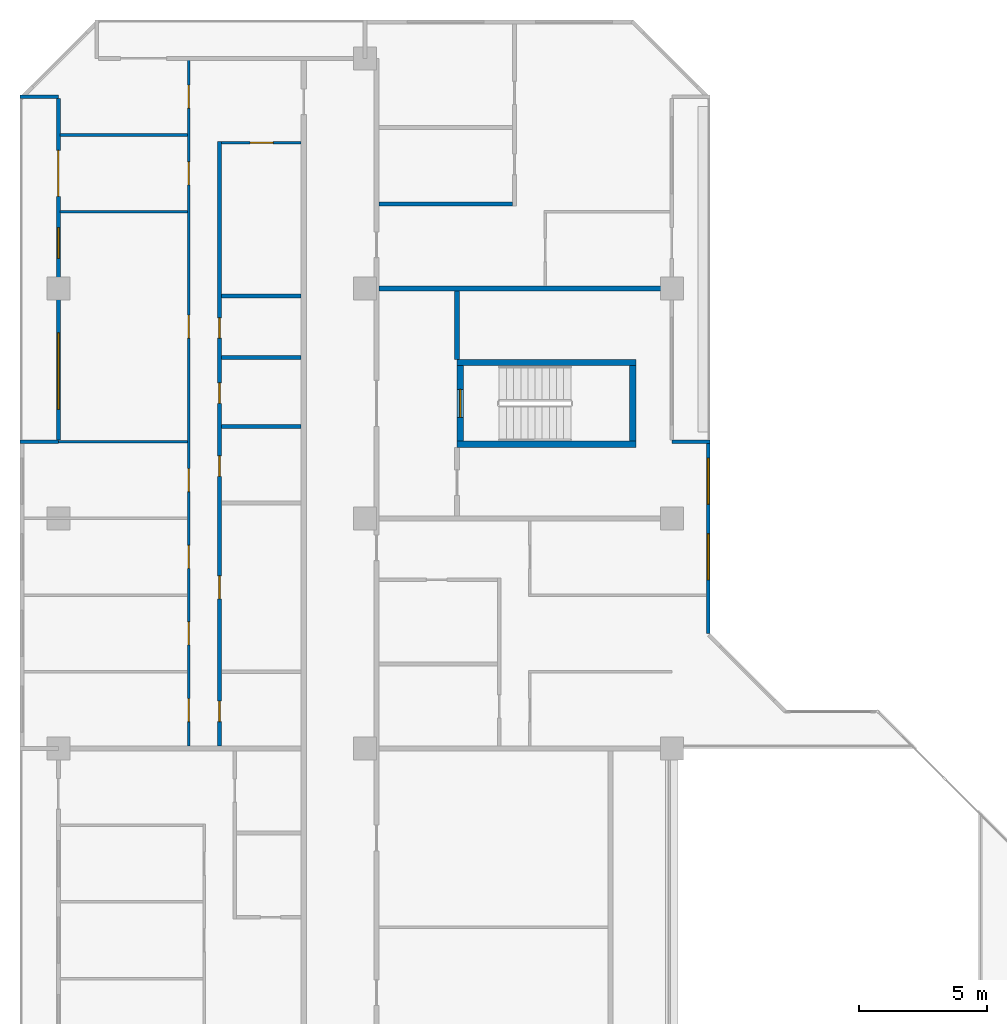
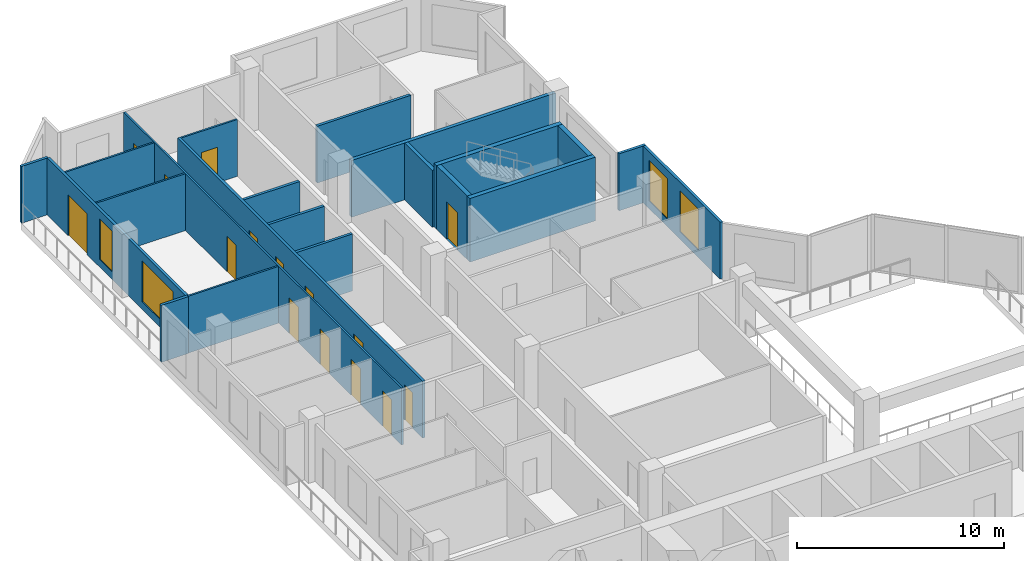
# One storey, part 10 of 14: 21 walls, 15 doors, 4 windows, 19 openings.
"""IFC4 building model written with IfcOpenShell, lengths in metres."""

from ifc_helpers import new_model, si_unit, direction, frame, frame_2d, origin, place, context, subcontext, project, spatial, rectangle, extrude, material, layer, layer_set, type_object, element, fill, save


model = new_model("IFC4")

# Units and contexts
model_context = context("Model", 3, precision=1e-05, world=origin(), true_north=direction((0.0, 1.0)))
body_context = subcontext(model_context, "Body", "Model", "MODEL_VIEW")
ifc_project = project(units=[si_unit("LENGTHUNIT", "METRE"), si_unit("AREAUNIT", "SQUARE_METRE"), si_unit("VOLUMEUNIT", "CUBIC_METRE"), si_unit("PLANEANGLEUNIT", "RADIAN"), si_unit("MASSUNIT", "GRAM", prefix="KILO")], contexts=[model_context])

# Site, building, storey
site_placement = place(None, origin())
site = spatial("IfcSite", under=ifc_project, at=site_placement, CompositionType="ELEMENT")
building_placement = place(site_placement, origin())
building = spatial("IfcBuilding", under=site, at=building_placement, Name="Chenar Terraces", CompositionType="ELEMENT")
storey_placement = place(building_placement, frame((0.0, 0.0, 161.14990234375)))
storey = spatial("IfcBuildingStorey", under=building, at=storey_placement, Name="L36", CompositionType="ELEMENT", Elevation=161.14990234375)

# Walls
ifc_material_1 = material(Name="Concrete C60/75", Category="concrete")
ifc_layer_1 = layer(ifc_material_1, 0.25)
ifc_layer_set_1 = layer_set([ifc_layer_1], Name="Concrete C60/75")
wall_type_1 = type_object("IfcWallType", Name="Core wall 250 Concrete C60/75", PredefinedType="SHEAR", material=ifc_layer_set_1)
for number, where, z_axis, x_axis, name in (
    (1, (15.60009765625, 47.89990234375, 0.0), (0.0, 0.0, 1.0), (1.0, 0.0, 0.0), "Core wall ST4_S L36"),
    (2, (15.60009765625, 51.10009765625, 0.0), (0.0, 0.0, 1.0), (1.0, 0.0, 0.0), "Core wall ST4_N L36"),
):
    element("IfcWall", number, at=place(storey_placement, frame(where, z_axis=z_axis, x_axis=x_axis)), inside=storey, type_object=wall_type_1, Name=name, PredefinedType="SHEAR", context=body_context, shape_type="SweptSolid", body=[
        extrude(rectangle(XDim=7.0, YDim=0.25, at=frame_2d((3.5, 0.0))), origin(), (0.0, 0.0, 1.0), 3.75),
    ])

# Wall, opening, door
wall_1_placement = place(storey_placement, frame((15.72509765625, 48.02490234375, 0.0), z_axis=(0.0, 0.0, 1.0), x_axis=(0.0, 1.0, 0.0)))
wall_1 = element("IfcWall", 3, at=wall_1_placement, inside=storey, type_object=wall_type_1, Name="Core wall ST4_W L36", PredefinedType="SHEAR", context=body_context, shape_type="SweptSolid", body=[
    extrude(rectangle(XDim=2.9501953125, YDim=0.25, at=frame_2d((1.47509765625, 0.0))), origin(), (0.0, 0.0, 1.0), 3.75),
])
opening_1_placement = place(wall_1_placement, frame((0.925048828125, 0.0, 0.0)))
opening_1 = element("IfcOpeningElement", 4, at=opening_1_placement, cuts=wall_1, Name="Opening DL36-C9", PredefinedType="OPENING", context=body_context, shape_type="SweptSolid", body=[
    extrude(rectangle(XDim=1.10009765625, YDim=2.199951171875, at=frame_2d((0.550048828125, 1.10009765625))), frame((0.0, 0.135009765625, 0.0), z_axis=(0.0, -1.0, 0.0), x_axis=(1.0, 0.0, 0.0)), (0.0, 0.0, 1.0), 0.27001953125),
])
ifc_material_2 = material(Name="Steel-framed fire-resisting door leaf", Category="steel")
door_type_1 = type_object("IfcDoorType", Name="Stair fire door FD60 1100 x 2200", OperationType="SINGLE_SWING_LEFT", PredefinedType="DOOR", material=ifc_material_2)
door_1_placement = place(opening_1_placement, frame((1.10009765625, 0.0, 0.0), z_axis=(0.0, 0.0, 1.0), x_axis=(-1.0, 0.0, 0.0)))
door_1 = element("IfcDoor", 5, at=door_1_placement, inside=storey, type_object=door_type_1, Name="Stair door DL36-C9", OperationType="SINGLE_SWING_RIGHT", OverallHeight=2.199951171875, OverallWidth=1.10009765625, PredefinedType="DOOR", context=body_context, shape_type="SweptSolid", body=[
    extrude(rectangle(XDim=1.10009765625, YDim=2.199951171875, at=frame_2d((0.550048828125, 1.10009765625))), frame((0.0, 0.02490234375, 0.0), z_axis=(0.0, -1.0, 0.0), x_axis=(1.0, 0.0, 0.0)), (0.0, 0.0, 1.0), 0.050048828125),
])
fill(opening_1, door_1)

# Walls
wall_2_placement = place(storey_placement, frame((22.47509765625, 48.02490234375, 0.0), z_axis=(0.0, 0.0, 1.0), x_axis=(0.0, 1.0, 0.0)))
element("IfcWall", 6, at=wall_2_placement, inside=storey, type_object=wall_type_1, Name="Core wall ST4_E L36", PredefinedType="SHEAR", context=body_context, shape_type="SweptSolid", body=[
    extrude(rectangle(XDim=2.9501953125, YDim=0.25, at=frame_2d((1.47509765625, 0.0))), origin(), (0.0, 0.0, 1.0), 3.75),
])
ifc_material_3 = material(Name="Gypsum board on steel studs with fire boards", Category="steel")
ifc_layer_2 = layer(ifc_material_3, 0.199951171875)
ifc_layer_set_2 = layer_set([ifc_layer_2], Name="Gypsum board on steel studs with fire boards")
wall_type_2 = type_object("IfcWallType", Name="Corridor wall 200", PredefinedType="PARTITIONING", material=ifc_layer_set_2)
wall_3_placement = place(storey_placement, frame((15.60009765625, 51.22509765625, 0.0), z_axis=(0.0, 0.0, 1.0), x_axis=(0.0, 1.0, 0.0)))
element("IfcWall", 7, at=wall_3_placement, inside=storey, type_object=wall_type_2, Name="Partition L36-043", PredefinedType="PARTITIONING", context=body_context, shape_type="SweptSolid", body=[
    extrude(rectangle(XDim=2.6748046875, YDim=0.199951171875, at=frame_2d((1.33740234375, 0.0))), origin(), (0.0, 0.0, 1.0), 3.35009765625),
])

# Wall, openings, windows
ifc_material_4 = material(Name="Aluminium framed glazing", Category="aluminium")
ifc_layer_3 = layer(ifc_material_4, 0.14990234375)
ifc_layer_set_3 = layer_set([ifc_layer_3], Name="Aluminium framed glazing")
wall_type_3 = type_object("IfcWallType", Name="Glazed flush facade wall 150", PredefinedType="SOLIDWALL", material=ifc_layer_set_3)
wall_4_placement = place(storey_placement, frame((25.425048828125, 40.5, 0.0), z_axis=(0.0, 0.0, 1.0), x_axis=(0.0, 1.0, 0.0)))
wall_4 = element("IfcWall", 8, at=wall_4_placement, inside=storey, type_object=wall_type_3, Name="Glazed flush facade wall", PredefinedType="SOLIDWALL", context=body_context, shape_type="SweptSolid", body=[
    extrude(rectangle(XDim=7.425048828125, YDim=0.14990234375, at=frame_2d((3.71240234375, 0.0))), origin(), (0.0, 0.0, 1.0), 3.35009765625),
])
opening_2_placement = place(wall_4_placement, frame((2.10009765625, 0.0, 0.449951171875)))
opening_2 = element("IfcOpeningElement", 9, at=opening_2_placement, cuts=wall_4, Name="Opening W180x240", PredefinedType="OPENING", context=body_context, shape_type="SweptSolid", body=[
    extrude(rectangle(XDim=1.800048828125, YDim=2.39990234375, at=frame_2d((0.89990234375, 1.199951171875))), frame((0.0, 0.0849609375, 0.0), z_axis=(0.0, -1.0, 0.0), x_axis=(1.0, 0.0, 0.0)), (0.0, 0.0, 1.0), 0.169921875),
])
opening_3_placement = place(wall_4_placement, frame((5.0625, 0.0, 0.449951171875)))
opening_3 = element("IfcOpeningElement", 10, at=opening_3_placement, cuts=wall_4, Name="Opening W180x240", PredefinedType="OPENING", context=body_context, shape_type="SweptSolid", body=[
    extrude(rectangle(XDim=1.800048828125, YDim=2.39990234375, at=frame_2d((0.89990234375, 1.199951171875))), frame((0.0, 0.0849609375, 0.0), z_axis=(0.0, -1.0, 0.0), x_axis=(1.0, 0.0, 0.0)), (0.0, 0.0, 1.0), 0.169921875),
])
ifc_material_5 = material(Name="Low emissivity double glazing, aluminium frame", Category="aluminium")
window_type_1 = type_object("IfcWindowType", Name="Fixed light 1800 x 2400", PartitioningType="SINGLE_PANEL", PredefinedType="WINDOW", material=ifc_material_5)
window_1_placement = place(opening_2_placement, origin())
window_1 = element("IfcWindow", 11, at=window_1_placement, inside=storey, type_object=window_type_1, Name="Window", OverallHeight=2.39990234375, OverallWidth=1.800048828125, PartitioningType="SINGLE_PANEL", PredefinedType="WINDOW", context=body_context, shape_type="SweptSolid", body=[
    extrude(rectangle(XDim=1.800048828125, YDim=2.39990234375, at=frame_2d((0.89990234375, 1.199951171875))), frame((0.0, 0.030029296875, 0.0), z_axis=(0.0, -1.0, 0.0), x_axis=(1.0, 0.0, 0.0)), (0.0, 0.0, 1.0), 0.06005859375),
])
fill(opening_2, window_1)
window_2_placement = place(opening_3_placement, origin())
window_2 = element("IfcWindow", 12, at=window_2_placement, inside=storey, type_object=window_type_1, Name="Window", OverallHeight=2.39990234375, OverallWidth=1.800048828125, PartitioningType="SINGLE_PANEL", PredefinedType="WINDOW", context=body_context, shape_type="SweptSolid", body=[
    extrude(rectangle(XDim=1.800048828125, YDim=2.39990234375, at=frame_2d((0.89990234375, 1.199951171875))), frame((0.0, 0.030029296875, 0.0), z_axis=(0.0, -1.0, 0.0), x_axis=(1.0, 0.0, 0.0)), (0.0, 0.0, 1.0), 0.06005859375),
])
fill(opening_3, window_2)

# Wall, openings, windows, door
ifc_material_6 = material(Name="Aluminium framed glazing", Category="aluminium")
ifc_layer_4 = layer(ifc_material_6, 0.14990234375)
ifc_layer_set_4 = layer_set([ifc_layer_4], Name="Aluminium framed glazing")
wall_type_4 = type_object("IfcWallType", Name="Glazed loggia back wall 150", PredefinedType="SOLIDWALL", material=ifc_layer_set_4)
wall_5_placement = place(storey_placement, frame((0.0, 61.425048828125, 0.0), z_axis=(0.0, 0.0, 1.0), x_axis=(0.0, -1.0, 0.0)))
wall_5 = element("IfcWall", 13, at=wall_5_placement, inside=storey, type_object=wall_type_4, Name="Glazed loggia back wall", PredefinedType="SOLIDWALL", context=body_context, shape_type="SweptSolid", body=[
    extrude(rectangle(XDim=13.35009765625, YDim=0.14990234375, at=frame_2d((6.675048828125, 0.0))), origin(), (0.0, 0.0, 1.0), 3.35009765625),
])
opening_4_placement = place(wall_5_placement, frame((2.02490234375, 0.0, 0.0)))
opening_4 = element("IfcOpeningElement", 14, at=opening_4_placement, cuts=wall_5, Name="Opening DL36-G4", PredefinedType="OPENING", context=body_context, shape_type="SweptSolid", body=[
    extrude(rectangle(XDim=1.800048828125, YDim=2.39990234375, at=frame_2d((0.89990234375, 1.199951171875))), frame((0.0, 0.0849609375, 0.0), z_axis=(0.0, -1.0, 0.0), x_axis=(1.0, 0.0, 0.0)), (0.0, 0.0, 1.0), 0.169921875),
])
opening_5_placement = place(wall_5_placement, frame((5.050048828125, 0.0, 0.449951171875)))
opening_5 = element("IfcOpeningElement", 15, at=opening_5_placement, cuts=wall_5, Name="Opening W120x240", PredefinedType="OPENING", context=body_context, shape_type="SweptSolid", body=[
    extrude(rectangle(XDim=1.199951171875, YDim=2.39990234375, at=frame_2d((0.60009765625, 1.199951171875))), frame((0.0, 0.0849609375, 0.0), z_axis=(0.0, -1.0, 0.0), x_axis=(1.0, 0.0, 0.0)), (0.0, 0.0, 1.0), 0.169921875),
])
opening_6_placement = place(wall_5_placement, frame((9.16259765625, 0.0, 0.449951171875)))
opening_6 = element("IfcOpeningElement", 16, at=opening_6_placement, cuts=wall_5, Name="Opening W300x240", PredefinedType="OPENING", context=body_context, shape_type="SweptSolid", body=[
    extrude(rectangle(XDim=3.0, YDim=2.39990234375, at=frame_2d((1.5, 1.199951171875))), frame((0.0, 0.0849609375, 0.0), z_axis=(0.0, -1.0, 0.0), x_axis=(1.0, 0.0, 0.0)), (0.0, 0.0, 1.0), 0.169921875),
])
ifc_material_7 = material(Name="Low emissivity double glazing, aluminium frame", Category="aluminium")
window_type_2 = type_object("IfcWindowType", Name="Fixed light 1200 x 2400", PartitioningType="SINGLE_PANEL", PredefinedType="WINDOW", material=ifc_material_7)
window_3_placement = place(opening_5_placement, origin())
window_3 = element("IfcWindow", 17, at=window_3_placement, inside=storey, type_object=window_type_2, Name="Window", OverallHeight=2.39990234375, OverallWidth=1.199951171875, PartitioningType="SINGLE_PANEL", PredefinedType="WINDOW", context=body_context, shape_type="SweptSolid", body=[
    extrude(rectangle(XDim=1.199951171875, YDim=2.39990234375, at=frame_2d((0.60009765625, 1.199951171875))), frame((0.0, 0.030029296875, 0.0), z_axis=(0.0, -1.0, 0.0), x_axis=(1.0, 0.0, 0.0)), (0.0, 0.0, 1.0), 0.06005859375),
])
fill(opening_5, window_3)
ifc_material_8 = material(Name="Low emissivity double glazing, aluminium frame", Category="aluminium")
window_type_3 = type_object("IfcWindowType", Name="Fixed light 3000 x 2400", PartitioningType="SINGLE_PANEL", PredefinedType="WINDOW", material=ifc_material_8)
window_4_placement = place(opening_6_placement, origin())
window_4 = element("IfcWindow", 18, at=window_4_placement, inside=storey, type_object=window_type_3, Name="Window", OverallHeight=2.39990234375, OverallWidth=3.0, PartitioningType="SINGLE_PANEL", PredefinedType="WINDOW", context=body_context, shape_type="SweptSolid", body=[
    extrude(rectangle(XDim=3.0, YDim=2.39990234375, at=frame_2d((1.5, 1.199951171875))), frame((0.0, 0.030029296875, 0.0), z_axis=(0.0, -1.0, 0.0), x_axis=(1.0, 0.0, 0.0)), (0.0, 0.0, 1.0), 0.06005859375),
])
fill(opening_6, window_4)
ifc_material_9 = material(Name="Low emissivity double glazing, aluminium frame", Category="aluminium")
door_type_2 = type_object("IfcDoorType", Name="Loggia glazed double door 1800 x 2400", OperationType="DOUBLE_DOOR_SINGLE_SWING", PredefinedType="DOOR", material=ifc_material_9)
door_2_placement = place(opening_4_placement, frame((1.800048828125, 0.0, 0.0), z_axis=(0.0, 0.0, 1.0), x_axis=(-1.0, 0.0, 0.0)))
door_2 = element("IfcDoor", 19, at=door_2_placement, inside=storey, type_object=door_type_2, Name="Loggia glazed door", OperationType="DOUBLE_DOOR_SINGLE_SWING", OverallHeight=2.39990234375, OverallWidth=1.800048828125, PredefinedType="DOOR", context=body_context, shape_type="SweptSolid", body=[
    extrude(rectangle(XDim=1.800048828125, YDim=2.39990234375, at=frame_2d((0.89990234375, 1.199951171875))), frame((0.0, 0.02490234375, 0.0), z_axis=(0.0, -1.0, 0.0), x_axis=(1.0, 0.0, 0.0)), (0.0, 0.0, 1.0), 0.050048828125),
])
fill(opening_4, door_2)

# Walls
ifc_material_10 = material(Name="Gypsum board on steel studs", Category="steel")
ifc_layer_5 = layer(ifc_material_10, 0.10009765625)
ifc_layer_set_5 = layer_set([ifc_layer_5], Name="Gypsum board on steel studs")
wall_type_5 = type_object("IfcWallType", Name="Gypsum partition 100", PredefinedType="PARTITIONING", material=ifc_layer_set_5)
wall_6_placement = place(storey_placement, frame((0.0, 48.0, 0.0), z_axis=(0.0, 0.0, 1.0), x_axis=(1.0, 0.0, 0.0)))
element("IfcWall", 20, at=wall_6_placement, inside=storey, type_object=wall_type_5, Name="Partition L36-007", PredefinedType="PARTITIONING", context=body_context, shape_type="SweptSolid", body=[
    extrude(rectangle(XDim=5.050048828125, YDim=0.10009765625, at=frame_2d((2.52490234375, 0.0))), origin(), (0.0, 0.0, 1.0), 3.35009765625),
])
for number, where, z_axis, x_axis, name in (
    (21, (0.073974609375, 57.0, 0.0), (0.0, 0.0, 1.0), (1.0, 0.0, 0.0), "Partition L36-011"),
    (22, (0.073974609375, 60.0, 0.0), (0.0, 0.0, 1.0), (1.0, 0.0, 0.0), "Partition L36-012"),
):
    element("IfcWall", number, at=place(storey_placement, frame(where, z_axis=z_axis, x_axis=x_axis)), inside=storey, type_object=wall_type_5, Name=name, PredefinedType="PARTITIONING", context=body_context, shape_type="SweptSolid", body=[
        extrude(rectangle(XDim=4.97607421875, YDim=0.10009765625, at=frame_2d((2.488037109375, 0.0))), origin(), (0.0, 0.0, 1.0), 3.35009765625),
    ])

# Wall, openings, doors
wall_7_placement = place(storey_placement, frame((5.10009765625, 36.10009765625, 0.0), z_axis=(0.0, 0.0, 1.0), x_axis=(0.0, 1.0, 0.0)))
wall_7 = element("IfcWall", 23, at=wall_7_placement, inside=storey, type_object=wall_type_5, Name="Partition L36-014", PredefinedType="PARTITIONING", context=body_context, shape_type="SweptSolid", body=[
    extrude(rectangle(XDim=26.825927734375, YDim=0.10009765625, at=frame_2d((13.4130859375, 0.0))), origin(), (0.0, 0.0, 1.0), 3.35009765625),
])
opening_7_placement = place(wall_7_placement, frame((0.949951171875, 0.0, 0.0)))
opening_7 = element("IfcOpeningElement", 24, at=opening_7_placement, cuts=wall_7, Name="Opening DL36-22", PredefinedType="OPENING", context=body_context, shape_type="SweptSolid", body=[
    extrude(rectangle(XDim=0.89990234375, YDim=2.10009765625, at=frame_2d((0.449951171875, 1.050048828125))), frame((0.0, 0.06005859375, 0.0), z_axis=(0.0, -1.0, 0.0), x_axis=(1.0, 0.0, 0.0)), (0.0, 0.0, 1.0), 0.1201171875),
])
opening_8_placement = place(wall_7_placement, frame((3.949951171875, 0.0, 0.0)))
opening_8 = element("IfcOpeningElement", 25, at=opening_8_placement, cuts=wall_7, Name="Opening DL36-23", PredefinedType="OPENING", context=body_context, shape_type="SweptSolid", body=[
    extrude(rectangle(XDim=0.89990234375, YDim=2.10009765625, at=frame_2d((0.449951171875, 1.050048828125))), frame((0.0, 0.06005859375, 0.0), z_axis=(0.0, -1.0, 0.0), x_axis=(1.0, 0.0, 0.0)), (0.0, 0.0, 1.0), 0.1201171875),
])
opening_9_placement = place(wall_7_placement, frame((6.949951171875, 0.0, 0.0)))
opening_9 = element("IfcOpeningElement", 26, at=opening_9_placement, cuts=wall_7, Name="Opening DL36-24", PredefinedType="OPENING", context=body_context, shape_type="SweptSolid", body=[
    extrude(rectangle(XDim=0.89990234375, YDim=2.10009765625, at=frame_2d((0.449951171875, 1.050048828125))), frame((0.0, 0.06005859375, 0.0), z_axis=(0.0, -1.0, 0.0), x_axis=(1.0, 0.0, 0.0)), (0.0, 0.0, 1.0), 0.1201171875),
])
opening_10_placement = place(wall_7_placement, frame((9.949951171875, 0.0, 0.0)))
opening_10 = element("IfcOpeningElement", 27, at=opening_10_placement, cuts=wall_7, Name="Opening DL36-25", PredefinedType="OPENING", context=body_context, shape_type="SweptSolid", body=[
    extrude(rectangle(XDim=0.89990234375, YDim=2.10009765625, at=frame_2d((0.449951171875, 1.050048828125))), frame((0.0, 0.06005859375, 0.0), z_axis=(0.0, -1.0, 0.0), x_axis=(1.0, 0.0, 0.0)), (0.0, 0.0, 1.0), 0.1201171875),
])
opening_11_placement = place(wall_7_placement, frame((21.949951171875, 0.0, 0.0)))
opening_11 = element("IfcOpeningElement", 28, at=opening_11_placement, cuts=wall_7, Name="Opening DL36-26", PredefinedType="OPENING", context=body_context, shape_type="SweptSolid", body=[
    extrude(rectangle(XDim=0.89990234375, YDim=2.10009765625, at=frame_2d((0.449951171875, 1.050048828125))), frame((0.0, 0.06005859375, 0.0), z_axis=(0.0, -1.0, 0.0), x_axis=(1.0, 0.0, 0.0)), (0.0, 0.0, 1.0), 0.1201171875),
])
opening_12_placement = place(wall_7_placement, frame((15.949951171875, 0.0, 0.0)))
opening_12 = element("IfcOpeningElement", 29, at=opening_12_placement, cuts=wall_7, Name="Opening DL36-31", PredefinedType="OPENING", context=body_context, shape_type="SweptSolid", body=[
    extrude(rectangle(XDim=0.89990234375, YDim=2.10009765625, at=frame_2d((0.449951171875, 1.050048828125))), frame((0.0, 0.06005859375, 0.0), z_axis=(0.0, -1.0, 0.0), x_axis=(1.0, 0.0, 0.0)), (0.0, 0.0, 1.0), 0.1201171875),
])
opening_13_placement = place(wall_7_placement, frame((24.949951171875, 0.0, 0.0)))
opening_13 = element("IfcOpeningElement", 30, at=opening_13_placement, cuts=wall_7, Name="Opening DL36-32", PredefinedType="OPENING", context=body_context, shape_type="SweptSolid", body=[
    extrude(rectangle(XDim=0.89990234375, YDim=2.10009765625, at=frame_2d((0.449951171875, 1.050048828125))), frame((0.0, 0.06005859375, 0.0), z_axis=(0.0, -1.0, 0.0), x_axis=(1.0, 0.0, 0.0)), (0.0, 0.0, 1.0), 0.1201171875),
])
ifc_material_11 = material(Name="Veneered timber door leaf", Category="wood")
door_type_3 = type_object("IfcDoorType", Name="Door 900 x 2100", OperationType="SINGLE_SWING_LEFT", PredefinedType="DOOR", material=ifc_material_11)
door_3_placement = place(opening_7_placement, origin())
door_3 = element("IfcDoor", 31, at=door_3_placement, inside=storey, type_object=door_type_3, Name="Door DL36-22", OperationType="SINGLE_SWING_RIGHT", OverallHeight=2.10009765625, OverallWidth=0.89990234375, PredefinedType="DOOR", context=body_context, shape_type="SweptSolid", body=[
    extrude(rectangle(XDim=0.89990234375, YDim=2.10009765625, at=frame_2d((0.449951171875, 1.050048828125))), frame((0.0, 0.02490234375, 0.0), z_axis=(0.0, -1.0, 0.0), x_axis=(1.0, 0.0, 0.0)), (0.0, 0.0, 1.0), 0.050048828125),
])
fill(opening_7, door_3)
door_4_placement = place(opening_8_placement, origin())
door_4 = element("IfcDoor", 32, at=door_4_placement, inside=storey, type_object=door_type_3, Name="Door DL36-23", OperationType="SINGLE_SWING_RIGHT", OverallHeight=2.10009765625, OverallWidth=0.89990234375, PredefinedType="DOOR", context=body_context, shape_type="SweptSolid", body=[
    extrude(rectangle(XDim=0.89990234375, YDim=2.10009765625, at=frame_2d((0.449951171875, 1.050048828125))), frame((0.0, 0.02490234375, 0.0), z_axis=(0.0, -1.0, 0.0), x_axis=(1.0, 0.0, 0.0)), (0.0, 0.0, 1.0), 0.050048828125),
])
fill(opening_8, door_4)
door_5_placement = place(opening_9_placement, origin())
door_5 = element("IfcDoor", 33, at=door_5_placement, inside=storey, type_object=door_type_3, Name="Door DL36-24", OperationType="SINGLE_SWING_RIGHT", OverallHeight=2.10009765625, OverallWidth=0.89990234375, PredefinedType="DOOR", context=body_context, shape_type="SweptSolid", body=[
    extrude(rectangle(XDim=0.89990234375, YDim=2.10009765625, at=frame_2d((0.449951171875, 1.050048828125))), frame((0.0, 0.02490234375, 0.0), z_axis=(0.0, -1.0, 0.0), x_axis=(1.0, 0.0, 0.0)), (0.0, 0.0, 1.0), 0.050048828125),
])
fill(opening_9, door_5)
door_6_placement = place(opening_10_placement, origin())
door_6 = element("IfcDoor", 34, at=door_6_placement, inside=storey, type_object=door_type_3, Name="Door DL36-25", OperationType="SINGLE_SWING_RIGHT", OverallHeight=2.10009765625, OverallWidth=0.89990234375, PredefinedType="DOOR", context=body_context, shape_type="SweptSolid", body=[
    extrude(rectangle(XDim=0.89990234375, YDim=2.10009765625, at=frame_2d((0.449951171875, 1.050048828125))), frame((0.0, 0.02490234375, 0.0), z_axis=(0.0, -1.0, 0.0), x_axis=(1.0, 0.0, 0.0)), (0.0, 0.0, 1.0), 0.050048828125),
])
fill(opening_10, door_6)
door_7_placement = place(opening_11_placement, origin())
door_7 = element("IfcDoor", 35, at=door_7_placement, inside=storey, type_object=door_type_3, Name="Door DL36-26", OperationType="SINGLE_SWING_RIGHT", OverallHeight=2.10009765625, OverallWidth=0.89990234375, PredefinedType="DOOR", context=body_context, shape_type="SweptSolid", body=[
    extrude(rectangle(XDim=0.89990234375, YDim=2.10009765625, at=frame_2d((0.449951171875, 1.050048828125))), frame((0.0, 0.02490234375, 0.0), z_axis=(0.0, -1.0, 0.0), x_axis=(1.0, 0.0, 0.0)), (0.0, 0.0, 1.0), 0.050048828125),
])
fill(opening_11, door_7)
door_8_placement = place(opening_12_placement, frame((0.89990234375, 0.0, 0.0), z_axis=(0.0, 0.0, 1.0), x_axis=(-1.0, 0.0, 0.0)))
door_8 = element("IfcDoor", 36, at=door_8_placement, inside=storey, type_object=door_type_3, Name="Door DL36-31", OperationType="SINGLE_SWING_LEFT", OverallHeight=2.10009765625, OverallWidth=0.89990234375, PredefinedType="DOOR", context=body_context, shape_type="SweptSolid", body=[
    extrude(rectangle(XDim=0.89990234375, YDim=2.10009765625, at=frame_2d((0.449951171875, 1.050048828125))), frame((0.0, 0.02490234375, 0.0), z_axis=(0.0, -1.0, 0.0), x_axis=(1.0, 0.0, 0.0)), (0.0, 0.0, 1.0), 0.050048828125),
])
fill(opening_12, door_8)
door_9_placement = place(opening_13_placement, origin())
door_9 = element("IfcDoor", 37, at=door_9_placement, inside=storey, type_object=door_type_3, Name="Door DL36-32", OperationType="SINGLE_SWING_RIGHT", OverallHeight=2.10009765625, OverallWidth=0.89990234375, PredefinedType="DOOR", context=body_context, shape_type="SweptSolid", body=[
    extrude(rectangle(XDim=0.89990234375, YDim=2.10009765625, at=frame_2d((0.449951171875, 1.050048828125))), frame((0.0, 0.02490234375, 0.0), z_axis=(0.0, -1.0, 0.0), x_axis=(1.0, 0.0, 0.0)), (0.0, 0.0, 1.0), 0.050048828125),
])
fill(opening_13, door_9)

# Wall, opening, door
wall_8_placement = place(storey_placement, frame((6.375, 59.699951171875, 0.0), z_axis=(0.0, 0.0, 1.0), x_axis=(1.0, 0.0, 0.0)))
wall_8 = element("IfcWall", 38, at=wall_8_placement, inside=storey, type_object=wall_type_5, Name="Partition L36-022", PredefinedType="PARTITIONING", context=body_context, shape_type="SweptSolid", body=[
    extrude(rectangle(XDim=3.125, YDim=0.10009765625, at=frame_2d((1.5625, 0.0))), origin(), (0.0, 0.0, 1.0), 3.35009765625),
])
opening_14_placement = place(wall_8_placement, frame((1.125, 0.0, 0.0)))
opening_14 = element("IfcOpeningElement", 39, at=opening_14_placement, cuts=wall_8, Name="Opening DL36-27", PredefinedType="OPENING", context=body_context, shape_type="SweptSolid", body=[
    extrude(rectangle(XDim=0.89990234375, YDim=2.10009765625, at=frame_2d((0.449951171875, 1.050048828125))), frame((0.0, 0.06005859375, 0.0), z_axis=(0.0, -1.0, 0.0), x_axis=(1.0, 0.0, 0.0)), (0.0, 0.0, 1.0), 0.1201171875),
])
door_10_placement = place(opening_14_placement, frame((0.89990234375, 0.0, 0.0), z_axis=(0.0, 0.0, 1.0), x_axis=(-1.0, 0.0, 0.0)))
door_10 = element("IfcDoor", 40, at=door_10_placement, inside=storey, type_object=door_type_3, Name="Door DL36-27", OperationType="SINGLE_SWING_RIGHT", OverallHeight=2.10009765625, OverallWidth=0.89990234375, PredefinedType="DOOR", context=body_context, shape_type="SweptSolid", body=[
    extrude(rectangle(XDim=0.89990234375, YDim=2.10009765625, at=frame_2d((0.449951171875, 1.050048828125))), frame((0.0, 0.02490234375, 0.0), z_axis=(0.0, -1.0, 0.0), x_axis=(1.0, 0.0, 0.0)), (0.0, 0.0, 1.0), 0.050048828125),
])
fill(opening_14, door_10)

# Walls
ifc_material_12 = material(Name="Terracotta cladding on insulated backing", Category="masonry")
ifc_layer_6 = layer(ifc_material_12, 0.14990234375)
ifc_layer_set_6 = layer_set([ifc_layer_6], Name="Terracotta cladding on insulated backing")
wall_type_6 = type_object("IfcWallType", Name="Loggia return wall 150", PredefinedType="SOLIDWALL", material=ifc_layer_set_6)
for number, where, z_axis, x_axis, name in (
    (41, (25.5, 48.0, 0.0), (0.0, 0.0, 1.0), (-1.0, 0.0, 0.0), "Loggia return wall"),
    (42, (-1.5, 61.5, 0.0), (0.0, 0.0, 1.0), (1.0, 0.0, 0.0), "Loggia return wall"),
    (43, (-1.5, 48.0, 0.0), (0.0, 0.0, 1.0), (1.0, 0.0, 0.0), "Loggia return wall"),
):
    element("IfcWall", number, at=place(storey_placement, frame(where, z_axis=z_axis, x_axis=x_axis)), inside=storey, type_object=wall_type_6, Name=name, PredefinedType="SOLIDWALL", context=body_context, shape_type="SweptSolid", body=[
        extrude(rectangle(XDim=1.5, YDim=0.14990234375, at=frame_2d((0.75, 0.0))), origin(), (0.0, 0.0, 1.0), 3.35009765625),
    ])
ifc_material_13 = material(Name="Twin gypsum board on steel studs with mineral wool", Category="steel")
ifc_layer_7 = layer(ifc_material_13, 0.199951171875)
ifc_layer_set_7 = layer_set([ifc_layer_7], Name="Twin gypsum board on steel studs with mineral wool")
wall_type_7 = type_object("IfcWallType", Name="Unit demising wall 200", PredefinedType="PARTITIONING", material=ifc_layer_set_7)
wall_9_placement = place(storey_placement, frame((12.550048828125, 54.0, 0.0), z_axis=(0.0, 0.0, 1.0), x_axis=(1.0, 0.0, 0.0)))
element("IfcWall", 44, at=wall_9_placement, inside=storey, type_object=wall_type_7, Name="Partition L36-038", PredefinedType="PARTITIONING", context=body_context, shape_type="SweptSolid", body=[
    extrude(rectangle(XDim=11.3759765625, YDim=0.199951171875, at=frame_2d((5.68798828125, 0.0))), origin(), (0.0, 0.0, 1.0), 3.35009765625),
])

# Wall, openings, doors
ifc_material_14 = material(Name="Moisture-resistant gypsum board on steel studs", Category="steel")
ifc_layer_8 = layer(ifc_material_14, 0.14990234375)
ifc_layer_set_8 = layer_set([ifc_layer_8], Name="Moisture-resistant gypsum board on steel studs")
wall_type_8 = type_object("IfcWallType", Name="Wet-room partition 150", PredefinedType="PARTITIONING", material=ifc_layer_set_8)
wall_10_placement = place(storey_placement, frame((6.300048828125, 36.10009765625, 0.0), z_axis=(0.0, 0.0, 1.0), x_axis=(0.0, 1.0, 0.0)))
wall_10 = element("IfcWall", 45, at=wall_10_placement, inside=storey, type_object=wall_type_8, Name="Partition L36-016", PredefinedType="PARTITIONING", context=body_context, shape_type="SweptSolid", body=[
    extrude(rectangle(XDim=23.64990234375, YDim=0.14990234375, at=frame_2d((11.824951171875, 0.0))), origin(), (0.0, 0.0, 1.0), 3.35009765625),
])
opening_15_placement = place(wall_10_placement, frame((15.949951171875, 0.0, 0.0)))
opening_15 = element("IfcOpeningElement", 46, at=opening_15_placement, cuts=wall_10, Name="Opening DL36-21", PredefinedType="OPENING", context=body_context, shape_type="SweptSolid", body=[
    extrude(rectangle(XDim=0.800048828125, YDim=2.10009765625, at=frame_2d((0.39990234375, 1.050048828125))), frame((0.0, 0.0849609375, 0.0), z_axis=(0.0, -1.0, 0.0), x_axis=(1.0, 0.0, 0.0)), (0.0, 0.0, 1.0), 0.169921875),
])
opening_16_placement = place(wall_10_placement, frame((5.75, 0.0, 0.0)))
opening_16 = element("IfcOpeningElement", 47, at=opening_16_placement, cuts=wall_10, Name="Opening DL36-29", PredefinedType="OPENING", context=body_context, shape_type="SweptSolid", body=[
    extrude(rectangle(XDim=0.89990234375, YDim=2.10009765625, at=frame_2d((0.449951171875, 1.050048828125))), frame((0.0, 0.0849609375, 0.0), z_axis=(0.0, -1.0, 0.0), x_axis=(1.0, 0.0, 0.0)), (0.0, 0.0, 1.0), 0.169921875),
])
opening_17_placement = place(wall_10_placement, frame((0.949951171875, 0.0, 0.0)))
opening_17 = element("IfcOpeningElement", 48, at=opening_17_placement, cuts=wall_10, Name="Opening DL36-30", PredefinedType="OPENING", context=body_context, shape_type="SweptSolid", body=[
    extrude(rectangle(XDim=0.800048828125, YDim=2.10009765625, at=frame_2d((0.39990234375, 1.050048828125))), frame((0.0, 0.0849609375, 0.0), z_axis=(0.0, -1.0, 0.0), x_axis=(1.0, 0.0, 0.0)), (0.0, 0.0, 1.0), 0.169921875),
])
opening_18_placement = place(wall_10_placement, frame((10.550048828125, 0.0, 0.0)))
opening_18 = element("IfcOpeningElement", 49, at=opening_18_placement, cuts=wall_10, Name="Opening DL36-33", PredefinedType="OPENING", context=body_context, shape_type="SweptSolid", body=[
    extrude(rectangle(XDim=0.800048828125, YDim=2.10009765625, at=frame_2d((0.39990234375, 1.050048828125))), frame((0.0, 0.0849609375, 0.0), z_axis=(0.0, -1.0, 0.0), x_axis=(1.0, 0.0, 0.0)), (0.0, 0.0, 1.0), 0.169921875),
])
opening_19_placement = place(wall_10_placement, frame((13.39990234375, 0.0, 0.0)))
opening_19 = element("IfcOpeningElement", 50, at=opening_19_placement, cuts=wall_10, Name="Opening DL36-34", PredefinedType="OPENING", context=body_context, shape_type="SweptSolid", body=[
    extrude(rectangle(XDim=0.800048828125, YDim=2.10009765625, at=frame_2d((0.39990234375, 1.050048828125))), frame((0.0, 0.0849609375, 0.0), z_axis=(0.0, -1.0, 0.0), x_axis=(1.0, 0.0, 0.0)), (0.0, 0.0, 1.0), 0.169921875),
])
ifc_material_15 = material(Name="Veneered timber door leaf", Category="wood")
door_type_4 = type_object("IfcDoorType", Name="Door 800 x 2100", OperationType="SINGLE_SWING_LEFT", PredefinedType="DOOR", material=ifc_material_15)
door_11_placement = place(opening_15_placement, frame((0.800048828125, 0.0, 0.0), z_axis=(0.0, 0.0, 1.0), x_axis=(-1.0, 0.0, 0.0)))
door_11 = element("IfcDoor", 51, at=door_11_placement, inside=storey, type_object=door_type_4, Name="Door DL36-21", OperationType="SINGLE_SWING_RIGHT", OverallHeight=2.10009765625, OverallWidth=0.800048828125, PredefinedType="DOOR", context=body_context, shape_type="SweptSolid", body=[
    extrude(rectangle(XDim=0.800048828125, YDim=2.10009765625, at=frame_2d((0.39990234375, 1.050048828125))), frame((0.0, 0.02490234375, 0.0), z_axis=(0.0, -1.0, 0.0), x_axis=(1.0, 0.0, 0.0)), (0.0, 0.0, 1.0), 0.050048828125),
])
fill(opening_15, door_11)
door_12_placement = place(opening_17_placement, frame((0.800048828125, 0.0, 0.0), z_axis=(0.0, 0.0, 1.0), x_axis=(-1.0, 0.0, 0.0)))
door_12 = element("IfcDoor", 52, at=door_12_placement, inside=storey, type_object=door_type_4, Name="Door DL36-30", OperationType="SINGLE_SWING_RIGHT", OverallHeight=2.10009765625, OverallWidth=0.800048828125, PredefinedType="DOOR", context=body_context, shape_type="SweptSolid", body=[
    extrude(rectangle(XDim=0.800048828125, YDim=2.10009765625, at=frame_2d((0.39990234375, 1.050048828125))), frame((0.0, 0.02490234375, 0.0), z_axis=(0.0, -1.0, 0.0), x_axis=(1.0, 0.0, 0.0)), (0.0, 0.0, 1.0), 0.050048828125),
])
fill(opening_17, door_12)
door_13_placement = place(opening_18_placement, frame((0.800048828125, 0.0, 0.0), z_axis=(0.0, 0.0, 1.0), x_axis=(-1.0, 0.0, 0.0)))
door_13 = element("IfcDoor", 53, at=door_13_placement, inside=storey, type_object=door_type_4, Name="Door DL36-33", OperationType="SINGLE_SWING_RIGHT", OverallHeight=2.10009765625, OverallWidth=0.800048828125, PredefinedType="DOOR", context=body_context, shape_type="SweptSolid", body=[
    extrude(rectangle(XDim=0.800048828125, YDim=2.10009765625, at=frame_2d((0.39990234375, 1.050048828125))), frame((0.0, 0.02490234375, 0.0), z_axis=(0.0, -1.0, 0.0), x_axis=(1.0, 0.0, 0.0)), (0.0, 0.0, 1.0), 0.050048828125),
])
fill(opening_18, door_13)
door_14_placement = place(opening_19_placement, frame((0.800048828125, 0.0, 0.0), z_axis=(0.0, 0.0, 1.0), x_axis=(-1.0, 0.0, 0.0)))
door_14 = element("IfcDoor", 54, at=door_14_placement, inside=storey, type_object=door_type_4, Name="Door DL36-34", OperationType="SINGLE_SWING_RIGHT", OverallHeight=2.10009765625, OverallWidth=0.800048828125, PredefinedType="DOOR", context=body_context, shape_type="SweptSolid", body=[
    extrude(rectangle(XDim=0.800048828125, YDim=2.10009765625, at=frame_2d((0.39990234375, 1.050048828125))), frame((0.0, 0.02490234375, 0.0), z_axis=(0.0, -1.0, 0.0), x_axis=(1.0, 0.0, 0.0)), (0.0, 0.0, 1.0), 0.050048828125),
])
fill(opening_19, door_14)
door_15_placement = place(opening_16_placement, frame((0.89990234375, 0.0, 0.0), z_axis=(0.0, 0.0, 1.0), x_axis=(-1.0, 0.0, 0.0)))
door_15 = element("IfcDoor", 55, at=door_15_placement, inside=storey, type_object=door_type_3, Name="Door DL36-29", OperationType="SINGLE_SWING_LEFT", OverallHeight=2.10009765625, OverallWidth=0.89990234375, PredefinedType="DOOR", context=body_context, shape_type="SweptSolid", body=[
    extrude(rectangle(XDim=0.89990234375, YDim=2.10009765625, at=frame_2d((0.449951171875, 1.050048828125))), frame((0.0, 0.02490234375, 0.0), z_axis=(0.0, -1.0, 0.0), x_axis=(1.0, 0.0, 0.0)), (0.0, 0.0, 1.0), 0.050048828125),
])
fill(opening_16, door_15)

# Walls
for number, where, z_axis, x_axis, name in (
    (56, (6.375, 48.60009765625, 0.0), (0.0, 0.0, 1.0), (1.0, 0.0, 0.0), "Partition L36-019"),
    (57, (6.375, 51.300048828125, 0.0), (0.0, 0.0, 1.0), (1.0, 0.0, 0.0), "Partition L36-020"),
    (58, (6.375, 53.699951171875, 0.0), (0.0, 0.0, 1.0), (1.0, 0.0, 0.0), "Partition L36-021"),
):
    element("IfcWall", number, at=place(storey_placement, frame(where, z_axis=z_axis, x_axis=x_axis)), inside=storey, type_object=wall_type_8, Name=name, PredefinedType="PARTITIONING", context=body_context, shape_type="SweptSolid", body=[
        extrude(rectangle(XDim=3.125, YDim=0.14990234375, at=frame_2d((1.5625, 0.0))), origin(), (0.0, 0.0, 1.0), 3.35009765625),
    ])
wall_11_placement = place(storey_placement, frame((12.550048828125, 57.300048828125, 0.0), z_axis=(0.0, 0.0, 1.0), x_axis=(1.0, 0.0, 0.0)))
element("IfcWall", 59, at=wall_11_placement, inside=storey, type_object=wall_type_8, Name="Partition L36-039", PredefinedType="PARTITIONING", context=body_context, shape_type="SweptSolid", body=[
    extrude(rectangle(XDim=5.224853515625, YDim=0.14990234375, at=frame_2d((2.6123046875, 0.0))), origin(), (0.0, 0.0, 1.0), 3.35009765625),
])

save(model, "model.ifc")
